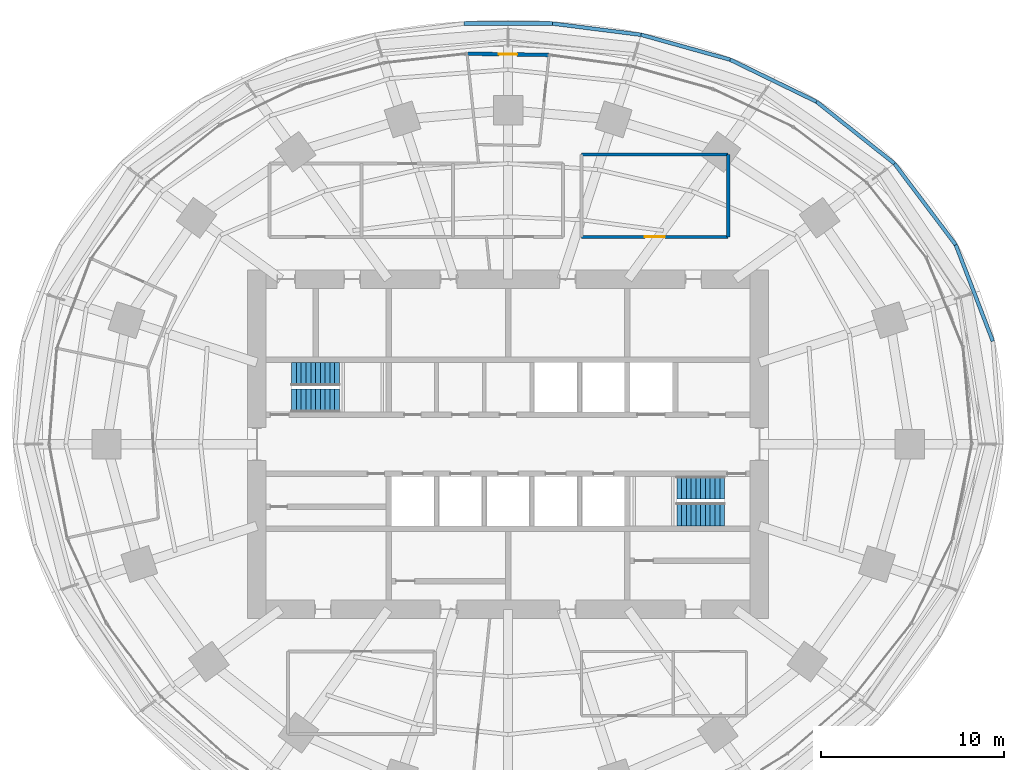
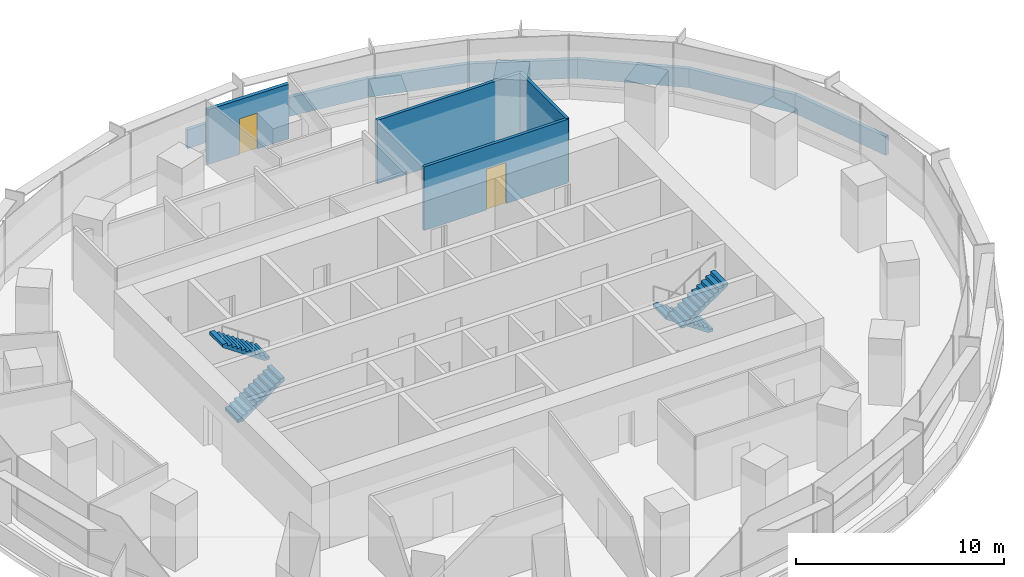
# One storey, part 13 of 15: 11 walls, 4 stair flights, 2 doors, 2 openings, 2 elements without a shape of their own.
"""IFC4 building model written with IfcOpenShell, lengths in metres."""

from ifc_helpers import new_model, si_unit, direction, frame, frame_2d, origin, place, context, subcontext, project, spatial, polyline, rectangle, outline, extrude, material, layer, layer_set, type_object, element, fill, aggregate, save


model = new_model("IFC4")

# Units and contexts
model_context = context("Model", 3, precision=1e-05, world=origin(), true_north=direction((0.0, 1.0)))
body_context = subcontext(model_context, "Body", "Model", "MODEL_VIEW")
ifc_project = project(units=[si_unit("LENGTHUNIT", "METRE"), si_unit("AREAUNIT", "SQUARE_METRE"), si_unit("VOLUMEUNIT", "CUBIC_METRE"), si_unit("PLANEANGLEUNIT", "RADIAN"), si_unit("MASSUNIT", "GRAM", prefix="KILO")], contexts=[model_context])

# Site, building, storey
site_placement = place(None, origin())
site = spatial("IfcSite", under=ifc_project, at=site_placement, CompositionType="ELEMENT")
building_placement = place(site_placement, origin())
building = spatial("IfcBuilding", under=site, at=building_placement, Name="Marramba Exchange Tower", CompositionType="ELEMENT")
storey_placement = place(building_placement, frame((0.0, 0.0, 92.39990234375)))
storey = spatial("IfcBuildingStorey", under=building, at=storey_placement, Name="L21", CompositionType="ELEMENT", Elevation=92.39990234375)

# Wall
ifc_material_1 = material(Name="Plasterboard on staggered double steel studs, acoustic insulation", Category="steel")
ifc_layer_1 = layer(ifc_material_1, 0.169921875)
ifc_layer_set_1 = layer_set([ifc_layer_1], Name="Acoustic partition 170")
wall_type_1 = type_object("IfcWallType", Name="Acoustic partition 170", PredefinedType="PARTITIONING", material=ifc_layer_set_1)
wall_1_placement = place(storey_placement, frame((12.0, 15.800048828125, 0.0), z_axis=(0.0, 0.0, 1.0), x_axis=(0.0, -1.0, 0.0)))
element("IfcWall", 1, at=wall_1_placement, inside=storey, type_object=wall_type_1, Name="Acoustic partition L21 12", PredefinedType="PARTITIONING", context=body_context, shape_type="SweptSolid", body=[
    extrude(rectangle(XDim=4.5, YDim=0.169921875, at=frame_2d((2.25, 0.0))), origin(), (0.0, 0.0, 1.0), 3.739990234375),
])

# Wall, opening, door
wall_2_placement = place(storey_placement, frame((12.0, 11.300048828125, 0.0), z_axis=(0.0, 0.0, 1.0), x_axis=(-1.0, 0.0, 0.0)))
wall_2 = element("IfcWall", 2, at=wall_2_placement, inside=storey, type_object=wall_type_1, Name="Acoustic partition L21 13", PredefinedType="PARTITIONING", context=body_context, shape_type="SweptSolid", body=[
    extrude(rectangle(XDim=8.0, YDim=0.169921875, at=frame_2d((4.0, 0.0))), origin(), (0.0, 0.0, 1.0), 3.739990234375),
])
opening_1_placement = place(wall_2_placement, frame((3.449951171875, 0.0, 0.0)))
opening_1 = element("IfcOpeningElement", 3, at=opening_1_placement, cuts=wall_2, Name="Opening D15", PredefinedType="OPENING", context=body_context, shape_type="SweptSolid", body=[
    extrude(rectangle(XDim=1.10009765625, YDim=2.39990234375, at=frame_2d((0.550048828125, 1.199951171875))), frame((0.0, 0.094970703125, 0.0), z_axis=(0.0, -1.0, 0.0), x_axis=(1.0, 0.0, 0.0)), (0.0, 0.0, 1.0), 0.18994140625),
])
ifc_material_2 = material(Name="Timber door", Category="wood")
door_type_1 = type_object("IfcDoorType", Name="Glazed meeting room door 1100x2400", OperationType="SINGLE_SWING_LEFT", PredefinedType="DOOR", material=ifc_material_2)
door_1_placement = place(opening_1_placement, frame((1.10009765625, 0.0, 0.0), z_axis=(0.0, 0.0, 1.0), x_axis=(-1.0, 0.0, 0.0)))
door_1 = element("IfcDoor", 4, at=door_1_placement, inside=storey, type_object=door_type_1, Name="D15 Meeting Room 1 L21", OperationType="SINGLE_SWING_RIGHT", OverallHeight=2.39990234375, OverallWidth=1.10009765625, PredefinedType="DOOR", context=body_context, shape_type="SweptSolid", body=[
    extrude(rectangle(XDim=1.10009765625, YDim=2.39990234375, at=frame_2d((0.550048828125, 1.199951171875))), frame((0.0, 0.025146484375, 0.0), z_axis=(0.0, -1.0, 0.0), x_axis=(1.0, 0.0, 0.0)), (0.0, 0.0, 1.0), 0.050048828125),
])
fill(opening_1, door_1)

# Wall
wall_3_placement = place(storey_placement, frame((4.0, 15.800048828125, 0.0), z_axis=(0.0, 0.0, 1.0), x_axis=(1.0, 0.0, 0.0)))
element("IfcWall", 5, at=wall_3_placement, inside=storey, type_object=wall_type_1, Name="Acoustic partition L21 14", PredefinedType="PARTITIONING", context=body_context, shape_type="SweptSolid", body=[
    extrude(rectangle(XDim=8.0, YDim=0.169921875, at=frame_2d((4.0, 0.0))), origin(), (0.0, 0.0, 1.0), 3.739990234375),
])

# Wall, opening, door
ifc_material_3 = material(Name="Aluminium-framed bronze cladding on steel studs", Category="steel")
ifc_layer_2 = layer(ifc_material_3, 0.199951171875)
ifc_layer_set_2 = layer_set([ifc_layer_2], Name="Door screen wall 200")
wall_type_2 = type_object("IfcWallType", Name="Door screen wall 200", PredefinedType="SOLIDWALL", material=ifc_layer_set_2)
wall_4_placement = place(storey_placement, frame((2.23046875, 21.22119140625, 0.0), z_axis=(0.0, 0.0, 1.0), x_axis=(-0.999875351407, 0.015788655696, 0.0)))
wall_4 = element("IfcWall", 6, at=wall_4_placement, inside=storey, type_object=wall_type_2, Name="Door screen L21 F08", PredefinedType="SOLIDWALL", context=body_context, shape_type="SweptSolid", body=[
    extrude(rectangle(XDim=4.46875, YDim=0.199951171875, at=frame_2d((2.234375, 0.0))), origin(), (0.0, 0.0, 1.0), 3.212158203125),
])
opening_2_placement = place(wall_4_placement, frame((1.734375, 0.0, 0.0)))
opening_2 = element("IfcOpeningElement", 7, at=opening_2_placement, cuts=wall_4, Name="Opening D22", PredefinedType="OPENING", context=body_context, shape_type="SweptSolid", body=[
    extrude(rectangle(XDim=1.0, YDim=2.10009765625, at=frame_2d((0.5, 1.050048828125))), frame((0.0, 0.10986328125, 0.0), z_axis=(0.0, -1.0, 0.0), x_axis=(1.0, 0.0, 0.0)), (0.0, 0.0, 1.0), 0.219970703125),
])
ifc_material_4 = material(Name="Aluminium-framed glazed door, bronze", Category="aluminium")
door_type_2 = type_object("IfcDoorType", Name="Roof access door (maintenance only) 1000x2100", OperationType="SINGLE_SWING_LEFT", PredefinedType="DOOR", material=ifc_material_4)
door_2_placement = place(opening_2_placement, frame((1.0, 0.0, 0.0), z_axis=(0.0, 0.0, 1.0), x_axis=(-1.0, 0.0, 0.0)))
door_2 = element("IfcDoor", 8, at=door_2_placement, inside=storey, type_object=door_type_2, Name="Roof access door (maintenance only) L21", OperationType="SINGLE_SWING_RIGHT", OverallHeight=2.10009765625, OverallWidth=1.0, PredefinedType="DOOR", context=body_context, shape_type="SweptSolid", body=[
    extrude(rectangle(XDim=1.0, YDim=2.10009765625, at=frame_2d((0.5, 1.050048828125))), frame((0.0, 0.025146484375, 0.0), z_axis=(0.0, -1.0, 0.0), x_axis=(1.0, 0.0, 0.0)), (0.0, 0.0, 1.0), 0.050048828125),
])
fill(opening_2, door_2)

# Walls
ifc_material_5 = material(Name="Concrete N40", Category="concrete")
ifc_layer_3 = layer(ifc_material_5, 0.199951171875)
ifc_layer_set_3 = layer_set([ifc_layer_3], Name="Roof parapet 200")
wall_type_3 = type_object("IfcWallType", Name="Roof parapet 200", PredefinedType="PARAPET", material=ifc_layer_set_3)
wall_5_placement = place(storey_placement, frame((26.426513671875, 5.6171875, 0.0), z_axis=(0.0, 0.0, 1.0), x_axis=(-0.359107059798, 0.933296372865, 0.0)))
element("IfcWall", 9, at=wall_5_placement, inside=storey, type_object=wall_type_3, Name="Parapet L21 F02", PredefinedType="PARAPET", context=body_context, shape_type="SweptSolid", body=[
    extrude(rectangle(XDim=5.62451171875, YDim=0.199951171875, at=frame_2d((2.812255859375, 0.0))), origin(), (0.0, 0.0, 1.0), 1.10009765625),
])
wall_6_placement = place(storey_placement, frame((24.40673828125, 10.866455078125, 0.0), z_axis=(0.0, 0.0, 1.0), x_axis=(-0.602135346541, 0.798394028313, 0.0)))
element("IfcWall", 10, at=wall_6_placement, inside=storey, type_object=wall_type_3, Name="Parapet L21 F03", PredefinedType="PARAPET", context=body_context, shape_type="SweptSolid", body=[
    extrude(rectangle(XDim=5.5556640625, YDim=0.199951171875, at=frame_2d((2.77783203125, 0.0))), origin(), (0.0, 0.0, 1.0), 1.10009765625),
])
wall_7_placement = place(storey_placement, frame((21.0615234375, 15.302001953125, 0.0), z_axis=(0.0, 0.0, 1.0), x_axis=(-0.783182417739, 0.621792007462, 0.0)))
element("IfcWall", 11, at=wall_7_placement, inside=storey, type_object=wall_type_3, Name="Parapet L21 F04", PredefinedType="PARAPET", context=body_context, shape_type="SweptSolid", body=[
    extrude(rectangle(XDim=5.423095703125, YDim=0.199951171875, at=frame_2d((2.71142578125, 0.0))), origin(), (0.0, 0.0, 1.0), 1.10009765625),
])
wall_8_placement = place(storey_placement, frame((16.814208984375, 18.674072265625, 0.0), z_axis=(0.0, 0.0, 1.0), x_axis=(-0.899240540061, 0.437454513191, 0.0)))
element("IfcWall", 12, at=wall_8_placement, inside=storey, type_object=wall_type_3, Name="Parapet L21 F05", PredefinedType="PARAPET", context=body_context, shape_type="SweptSolid", body=[
    extrude(rectangle(XDim=5.23779296875, YDim=0.199951171875, at=frame_2d((2.618896484375, 0.0))), origin(), (0.0, 0.0, 1.0), 1.10009765625),
])
wall_9_placement = place(storey_placement, frame((12.104248046875, 20.96533203125, 0.0), z_axis=(0.0, 0.0, 1.0), x_axis=(-0.963091760642, 0.269173290993, 0.0)))
element("IfcWall", 13, at=wall_9_placement, inside=storey, type_object=wall_type_3, Name="Parapet L21 F06", PredefinedType="PARAPET", context=body_context, shape_type="SweptSolid", body=[
    extrude(rectangle(XDim=5.03759765625, YDim=0.199951171875, at=frame_2d((2.518798828125, 0.0))), origin(), (0.0, 0.0, 1.0), 1.10009765625),
])
wall_10_placement = place(storey_placement, frame((7.252685546875, 22.3212890625, 0.0), z_axis=(0.0, 0.0, 1.0), x_axis=(-0.992074161456, 0.125653723268, 0.0)))
element("IfcWall", 14, at=wall_10_placement, inside=storey, type_object=wall_type_3, Name="Parapet L21 F07", PredefinedType="PARAPET", context=body_context, shape_type="SweptSolid", body=[
    extrude(rectangle(XDim=4.880615234375, YDim=0.199951171875, at=frame_2d((2.4404296875, 0.0))), origin(), (0.0, 0.0, 1.0), 1.10009765625),
])
wall_11_placement = place(storey_placement, frame((2.41064453125, 22.9345703125, 0.0), z_axis=(0.0, 0.0, 1.0), x_axis=(-1.0, 0.0, 0.0)))
element("IfcWall", 15, at=wall_11_placement, inside=storey, type_object=wall_type_3, Name="Parapet L21 F08", PredefinedType="PARAPET", context=body_context, shape_type="SweptSolid", body=[
    extrude(rectangle(XDim=4.8212890625, YDim=0.199951171875, at=frame_2d((2.41064453125, 0.0))), origin(), (0.0, 0.0, 1.0), 1.10009765625),
])

# Stair, stair flights
ifc_material_6 = material(Name="Concrete N40 (40 MPa)", Category="concrete")
stair_type_1 = type_object("IfcStairType", Name="Exit stair ST1 3900 x 1250", PredefinedType="HALF_TURN_STAIR", material=ifc_material_6)
stair_1_placement = place(storey_placement, origin())
stair_1 = element("IfcStair", 16, at=stair_1_placement, inside=storey, type_object=stair_type_1, Name="Exit stair ST1 L21", PredefinedType="HALF_TURN_STAIR")
stair_flight_type_1 = type_object("IfcStairFlightType", Name="ST1 stair flight 1773 riser 1250 wide", PredefinedType="STRAIGHT", material=ifc_material_6)
stair_flight_1_placement = place(storey_placement, frame((-11.800048828125, 2.375, 0.0), z_axis=(0.0, 0.0, 1.0), x_axis=(1.0, 0.0, 0.0)))
stair_flight_1 = element("IfcStairFlight", 17, at=stair_flight_1_placement, type_object=stair_flight_type_1, Name="ST1 flight 1", NumberOfRisers=11, NumberOfTreads=10, PredefinedType="STRAIGHT", RiserHeight=0.177272727, TreadLength=0.26, context=body_context, shape_type="SweptSolid", body=[
    extrude(outline(polyline([(0.0, 0.0), (0.0, 0.17724609375), (0.260009765625, 0.17724609375), (0.260009765625, 0.3544921875), (0.52001953125, 0.3544921875), (0.52001953125, 0.53173828125), (0.780029296875, 0.53173828125), (0.780029296875, 0.708984375), (1.0400390625, 0.708984375), (1.0400390625, 0.886474609375), (1.300048828125, 0.886474609375), (1.300048828125, 1.063720703125), (1.56005859375, 1.063720703125), (1.56005859375, 1.240966796875), (1.820068359375, 1.240966796875), (1.820068359375, 1.418212890625), (2.080078125, 1.418212890625), (2.080078125, 1.595458984375), (2.340087890625, 1.595458984375), (2.340087890625, 1.772705078125), (2.60009765625, 1.772705078125), (2.60009765625, 1.949951171875), (2.60009765625, 1.59130859375), (0.26611328125, 0.0), (0.0, 0.0)])), frame((0.0, 0.625, 0.0), z_axis=(0.0, -1.0, 0.0), x_axis=(1.0, 0.0, 0.0)), (0.0, 0.0, 1.0), 1.25),
])
stair_flight_2_placement = place(storey_placement, frame((-9.199951171875, 3.824951171875, 1.9501953125), z_axis=(0.0, 0.0, 1.0), x_axis=(-1.0, 0.0, 0.0)))
stair_flight_2 = element("IfcStairFlight", 18, at=stair_flight_2_placement, type_object=stair_flight_type_1, Name="ST1 flight 2", NumberOfRisers=11, NumberOfTreads=10, PredefinedType="STRAIGHT", RiserHeight=0.177272727, TreadLength=0.26, context=body_context, shape_type="SweptSolid", body=[
    extrude(outline(polyline([(0.0, 0.0), (0.0, 0.17724609375), (0.260009765625, 0.17724609375), (0.260009765625, 0.3544921875), (0.52001953125, 0.3544921875), (0.52001953125, 0.53173828125), (0.780029296875, 0.53173828125), (0.780029296875, 0.708984375), (1.0400390625, 0.708984375), (1.0400390625, 0.886474609375), (1.300048828125, 0.886474609375), (1.300048828125, 1.063720703125), (1.56005859375, 1.063720703125), (1.56005859375, 1.240966796875), (1.820068359375, 1.240966796875), (1.820068359375, 1.418212890625), (2.080078125, 1.418212890625), (2.080078125, 1.595458984375), (2.340087890625, 1.595458984375), (2.340087890625, 1.772705078125), (2.60009765625, 1.772705078125), (2.60009765625, 1.949951171875), (2.60009765625, 1.59130859375), (0.26611328125, 0.0), (0.0, 0.0)])), frame((0.0, 0.625, 0.0), z_axis=(0.0, -1.0, 0.0), x_axis=(1.0, 0.0, 0.0)), (0.0, 0.0, 1.0), 1.25),
])
aggregate(stair_1, [stair_flight_1, stair_flight_2])

stair_type_2 = type_object("IfcStairType", Name="Exit stair ST2 3900 x 1250", PredefinedType="HALF_TURN_STAIR", material=ifc_material_6)
stair_2_placement = place(storey_placement, origin())
stair_2 = element("IfcStair", 19, at=stair_2_placement, inside=storey, type_object=stair_type_2, Name="Exit stair ST2 L21", PredefinedType="HALF_TURN_STAIR")
stair_flight_type_2 = type_object("IfcStairFlightType", Name="ST2 stair flight 1773 riser 1250 wide", PredefinedType="STRAIGHT", material=ifc_material_6)
stair_flight_3_placement = place(storey_placement, frame((11.800048828125, -2.375, 0.0), z_axis=(0.0, 0.0, 1.0), x_axis=(-1.0, 0.0, 0.0)))
stair_flight_3 = element("IfcStairFlight", 20, at=stair_flight_3_placement, type_object=stair_flight_type_2, Name="ST2 flight 1", NumberOfRisers=11, NumberOfTreads=10, PredefinedType="STRAIGHT", RiserHeight=0.177272727, TreadLength=0.26, context=body_context, shape_type="SweptSolid", body=[
    extrude(outline(polyline([(0.0, 0.0), (0.0, 0.17724609375), (0.260009765625, 0.17724609375), (0.260009765625, 0.3544921875), (0.52001953125, 0.3544921875), (0.52001953125, 0.53173828125), (0.780029296875, 0.53173828125), (0.780029296875, 0.708984375), (1.0400390625, 0.708984375), (1.0400390625, 0.886474609375), (1.300048828125, 0.886474609375), (1.300048828125, 1.063720703125), (1.56005859375, 1.063720703125), (1.56005859375, 1.240966796875), (1.820068359375, 1.240966796875), (1.820068359375, 1.418212890625), (2.080078125, 1.418212890625), (2.080078125, 1.595458984375), (2.340087890625, 1.595458984375), (2.340087890625, 1.772705078125), (2.60009765625, 1.772705078125), (2.60009765625, 1.949951171875), (2.60009765625, 1.59130859375), (0.26611328125, 0.0), (0.0, 0.0)])), frame((0.0, 0.625, 0.0), z_axis=(0.0, -1.0, 0.0), x_axis=(1.0, 0.0, 0.0)), (0.0, 0.0, 1.0), 1.25),
])
stair_flight_4_placement = place(storey_placement, frame((9.199951171875, -3.824951171875, 1.9501953125), z_axis=(0.0, 0.0, 1.0), x_axis=(1.0, 0.0, 0.0)))
stair_flight_4 = element("IfcStairFlight", 21, at=stair_flight_4_placement, type_object=stair_flight_type_2, Name="ST2 flight 2", NumberOfRisers=11, NumberOfTreads=10, PredefinedType="STRAIGHT", RiserHeight=0.177272727, TreadLength=0.26, context=body_context, shape_type="SweptSolid", body=[
    extrude(outline(polyline([(0.0, 0.0), (0.0, 0.17724609375), (0.260009765625, 0.17724609375), (0.260009765625, 0.3544921875), (0.52001953125, 0.3544921875), (0.52001953125, 0.53173828125), (0.780029296875, 0.53173828125), (0.780029296875, 0.708984375), (1.0400390625, 0.708984375), (1.0400390625, 0.886474609375), (1.300048828125, 0.886474609375), (1.300048828125, 1.063720703125), (1.56005859375, 1.063720703125), (1.56005859375, 1.240966796875), (1.820068359375, 1.240966796875), (1.820068359375, 1.418212890625), (2.080078125, 1.418212890625), (2.080078125, 1.595458984375), (2.340087890625, 1.595458984375), (2.340087890625, 1.772705078125), (2.60009765625, 1.772705078125), (2.60009765625, 1.949951171875), (2.60009765625, 1.59130859375), (0.26611328125, 0.0), (0.0, 0.0)])), frame((0.0, 0.625, 0.0), z_axis=(0.0, -1.0, 0.0), x_axis=(1.0, 0.0, 0.0)), (0.0, 0.0, 1.0), 1.25),
])
aggregate(stair_2, [stair_flight_3, stair_flight_4])

save(model, "model.ifc")
